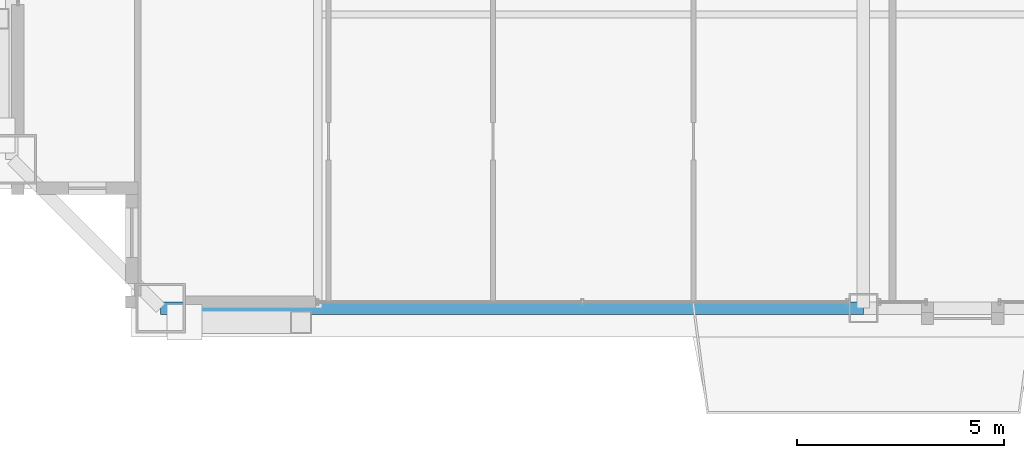
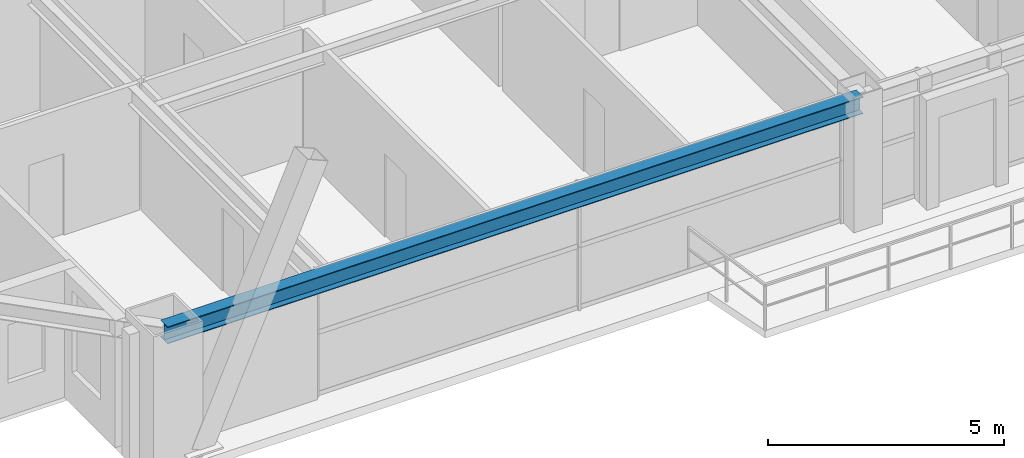
# One storey, part 5 of 37: 1 beam.
"""IFC4 building model written with IfcOpenShell, lengths in metres."""

import ifcopenshell
import ifcopenshell.guid

model = None  # the IFC model being written
_history = None  # IfcOwnerHistory: only IFC2X3 demands one
_inside = {}  # id of a spatial element -> (the spatial element, [elements in it])
_under = {}  # id of a project, library or spatial element -> (it, [spatial elements below it])
_declared = {}  # id of a project -> (the project, [libraries it declares])
_typed = {}  # id of a type object -> (the type object, [elements of that type])
_made_of = {}  # id of a material, layer set ... -> (it, [elements and type objects made of it])


def new_model(schema):
    """Start an empty IFC model of exactly this schema.

    Asked for "IFC4X3", IfcOpenShell would pick the latest addendum, in which some entities
    have other attributes; the version numbers below select the first issue.
    IFC2X3 requires an IfcOwnerHistory on every rooted entity: one is made here for all.
    """
    global model, _history
    if schema == "IFC4X3":
        model = ifcopenshell.file(schema_version=(4, 3, 0, 0))
    else:
        model = ifcopenshell.file(schema=schema)
    _inside.clear()
    _under.clear()
    _declared.clear()
    _typed.clear()
    _made_of.clear()
    _history = None
    if model.schema == "IFC2X3":
        org = make("IfcOrganization", Name="unknown")
        user = make(
            "IfcPersonAndOrganization",
            ThePerson=make("IfcPerson", FamilyName="unknown"),
            TheOrganization=org,
        )
        app = make(
            "IfcApplication",
            ApplicationDeveloper=org,
            Version="unknown",
            ApplicationFullName="unknown",
            ApplicationIdentifier="unknown",
        )
        _history = make(
            "IfcOwnerHistory",
            OwningUser=user,
            OwningApplication=app,
            ChangeAction="ADDED",
            CreationDate=0,
        )
    return model


def make(cls, **values):
    """One entity of the class cls with the attributes given. An attribute that is None is left unset."""
    return model.create_entity(
        cls, **{name: value for name, value in values.items() if value is not None}
    )


def rooted(cls, **values):
    """An entity with a GlobalId (a new one), such as an element, a storey or a relation."""
    return make(cls, GlobalId=ifcopenshell.guid.new(), OwnerHistory=_history, **values)


def si_unit(unit_type, name, prefix=None):
    """IfcSIUnit, for example si_unit("LENGTHUNIT", "METRE", prefix="MILLI")."""
    return make("IfcSIUnit", UnitType=unit_type, Prefix=prefix, Name=name)


def assignment(units):
    """IfcUnitAssignment: the units of a project."""
    return None if units is None else make("IfcUnitAssignment", Units=units)


def point(xyz):
    """IfcCartesianPoint."""
    return None if xyz is None else make("IfcCartesianPoint", Coordinates=xyz)


def direction(xyz):
    """IfcDirection."""
    return None if xyz is None else make("IfcDirection", DirectionRatios=xyz)


def frame(location, z_axis=None, x_axis=None):
    """IfcAxis2Placement3D, a coordinate frame: its origin and axes. An axis left out is left unset."""
    return make(
        "IfcAxis2Placement3D",
        Location=point(location),
        Axis=direction(z_axis),
        RefDirection=direction(x_axis),
    )


def frame_2d(location, x_axis=None):
    """IfcAxis2Placement2D, a coordinate frame in the plane: its origin and x axis."""
    return make(
        "IfcAxis2Placement2D", Location=point(location), RefDirection=direction(x_axis)
    )


def origin():
    """The frame at (0, 0, 0) with its axes left unset."""
    return frame((0.0, 0.0, 0.0))


def origin_2d():
    """The frame at (0, 0) in the plane with its x axis left unset."""
    return frame_2d((0.0, 0.0))


def place(relative_to, where):
    """IfcLocalPlacement: puts the frame where relative to a parent placement (None: the world)."""
    return make(
        "IfcLocalPlacement", PlacementRelTo=relative_to, RelativePlacement=where
    )


def context(
    kind, dimensions, precision=None, world=None, true_north=None, identifier=None
):
    """IfcGeometricRepresentationContext, for example the 3D "Model" context."""
    return make(
        "IfcGeometricRepresentationContext",
        ContextIdentifier=identifier,
        ContextType=kind,
        CoordinateSpaceDimension=dimensions,
        Precision=precision,
        WorldCoordinateSystem=world,
        TrueNorth=true_north,
    )


def subcontext(parent, identifier, kind, view, scale=None):
    """IfcGeometricRepresentationSubContext, for example "Body" below "Model"."""
    return make(
        "IfcGeometricRepresentationSubContext",
        ContextIdentifier=identifier,
        ContextType=kind,
        ParentContext=parent,
        TargetScale=scale,
        TargetView=view,
    )


def project(units=None, contexts=None):
    """IfcProject with its units and contexts."""
    return rooted(
        "IfcProject",
        Name="project",
        RepresentationContexts=contexts,
        UnitsInContext=assignment(units),
    )


def spatial(cls, under=None, at=None, **own):
    """A site, building, storey or space (cls), placed at a placement, below another one or the project."""
    s = rooted(cls, ObjectPlacement=at, **own)
    if under is not None:
        _under.setdefault(under.id(), (under, []))[1].append(s)
    return s


def profile(cls, at=None, kind="AREA", **sizes):
    """A parametric profile (cls). Its sizes go by their IFC names, for example OverallWidth=200.0."""
    return make(cls, ProfileType=kind, Position=at, **sizes)


def i_section(**sizes):
    """IfcIShapeProfileDef."""
    return profile("IfcIShapeProfileDef", **sizes)


def extrude(swept, where, along, depth):
    """IfcExtrudedAreaSolid: the profile swept, set in the frame where, extruded along a direction by depth."""
    return make(
        "IfcExtrudedAreaSolid",
        SweptArea=swept,
        Position=where,
        ExtrudedDirection=direction(along),
        Depth=depth,
    )


def shape(context_of_items, identifier, shape_type, items):
    """IfcShapeRepresentation: the items that make up one representation, for example the "Body"."""
    return make(
        "IfcShapeRepresentation",
        ContextOfItems=context_of_items,
        RepresentationIdentifier=identifier,
        RepresentationType=shape_type,
        Items=items,
    )


def source(mapping_origin, context_of_items, identifier, shape_type, items):
    """IfcRepresentationMap: a shape defined once, which mapped items show again and again."""
    return make(
        "IfcRepresentationMap",
        MappingOrigin=mapping_origin,
        MappedRepresentation=shape(context_of_items, identifier, shape_type, items),
    )


def transform(
    local_origin,
    x_axis=None,
    y_axis=None,
    z_axis=None,
    scale=None,
    scale2=None,
    scale3=None,
    uniform=True,
):
    """IfcCartesianTransformationOperator3D, or its non-uniform kind. x_axis, y_axis, z_axis: its Axis1, 2, 3."""
    if uniform:
        return make(
            "IfcCartesianTransformationOperator3D",
            Axis1=direction(x_axis),
            Axis2=direction(y_axis),
            LocalOrigin=point(local_origin),
            Scale=scale,
            Axis3=direction(z_axis),
        )
    return make(
        "IfcCartesianTransformationOperator3DnonUniform",
        Axis1=direction(x_axis),
        Axis2=direction(y_axis),
        LocalOrigin=point(local_origin),
        Scale=scale,
        Axis3=direction(z_axis),
        Scale2=scale2,
        Scale3=scale3,
    )


def mapped(mapping_source, mapping_target):
    """IfcMappedItem: shows the shape of a source again, moved by a transform."""
    return make(
        "IfcMappedItem", MappingSource=mapping_source, MappingTarget=mapping_target
    )


def material(Name=None, Category=None):
    """IfcMaterial."""
    return make("IfcMaterial", Name=Name, Category=Category)


def material_profile(
    of_material, cross_section, Name=None, Category=None, Priority=None
):
    """IfcMaterialProfile: a cross section and its material."""
    return make(
        "IfcMaterialProfile",
        Name=Name,
        Material=of_material,
        Profile=cross_section,
        Priority=Priority,
        Category=Category,
    )


def profile_set(profiles, Name=None, composite=None):
    """IfcMaterialProfileSet."""
    return make(
        "IfcMaterialProfileSet",
        Name=Name,
        MaterialProfiles=profiles,
        CompositeProfile=composite,
    )


def made_of(thing, what):
    """Note that an element or type object is made of a material, layer set ...; save() writes the relation."""
    if what is not None:
        _made_of.setdefault(what.id(), (what, []))[1].append(thing)
    return thing


def type_object(cls, material=None, **own):
    """A type object (cls), such as IfcWallType, which elements share."""
    return made_of(rooted(cls, **own), material)


def element(
    cls,
    number,
    at=None,
    inside=None,
    cuts=None,
    type_object=None,
    material=None,
    context=None,
    identifier="Body",
    shape_type=None,
    held_by="IfcProductDefinitionShape",
    body=None,
    shapes=None,
    **own,
):
    """One element of the class cls, such as IfcWall. Its Tag is "e" and its number.

    at: its placement. inside: the storey or other place that contains it. cuts: it is an
    opening in that element (IfcRelVoidsElement). A single representation is given by context,
    identifier, shape_type and body (its items); several are given by shapes. held_by: the class
    of the entity that holds the representations. save() writes the other relations.
    """
    e = rooted(cls, Tag="e%d" % number, ObjectPlacement=at, **own)
    if body is not None:
        shapes = [shape(context, identifier, shape_type, body)]
    if shapes is not None:
        e.Representation = make(held_by, Representations=shapes)
    if inside is not None:
        _inside.setdefault(inside.id(), (inside, []))[1].append(e)
    if cuts is not None:
        rooted(
            "IfcRelVoidsElement", RelatingBuildingElement=cuts, RelatedOpeningElement=e
        )
    if type_object is not None:
        _typed.setdefault(type_object.id(), (type_object, []))[1].append(e)
    return made_of(e, material)


def aggregate(whole, parts):
    """IfcRelAggregates: a whole, such as a stair, and the parts it consists of."""
    return rooted("IfcRelAggregates", RelatingObject=whole, RelatedObjects=parts)


def save(model, path):
    """Write the relations noted so far, then the file.

    IfcRelAggregates (storeys below a building ...), IfcRelContainedInSpatialStructure (elements
    in a storey), IfcRelDefinesByType, IfcRelAssociatesMaterial and IfcRelDeclares: one each for
    every whole, place, type object, material and project.
    """
    for whole, parts in _under.values():
        aggregate(whole, parts)
    for where, things in _inside.values():
        rooted(
            "IfcRelContainedInSpatialStructure",
            RelatedElements=things,
            RelatingStructure=where,
        )
    for kind, things in _typed.values():
        rooted("IfcRelDefinesByType", RelatedObjects=things, RelatingType=kind)
    for what, things in _made_of.values():
        rooted("IfcRelAssociatesMaterial", RelatedObjects=things, RelatingMaterial=what)
    for by, libraries in _declared.values():
        rooted("IfcRelDeclares", RelatingContext=by, RelatedDefinitions=libraries)
    model.write(path)


model = new_model("IFC4")

# Units and contexts
model_context = context("Model", 3, precision=1e-05, world=origin(), true_north=direction((0.0, 1.0)))
body_context = subcontext(model_context, "Body", "Model", "MODEL_VIEW")
ifc_project = project(units=[si_unit("LENGTHUNIT", "METRE"), si_unit("AREAUNIT", "SQUARE_METRE"), si_unit("VOLUMEUNIT", "CUBIC_METRE"), si_unit("PLANEANGLEUNIT", "RADIAN"), si_unit("MASSUNIT", "GRAM", prefix="KILO"), si_unit("THERMODYNAMICTEMPERATUREUNIT", "KELVIN"), si_unit("POWERUNIT", "WATT")], contexts=[model_context])

# Site, building, storey
site_placement = place(None, origin())
site = spatial("IfcSite", under=ifc_project, at=site_placement, CompositionType="ELEMENT")
building_placement = place(site_placement, origin())
building = spatial("IfcBuilding", under=site, at=building_placement, Name="Yuzanri Waterfront Tower", CompositionType="ELEMENT")
storey_placement = place(building_placement, frame((0.0, 0.0, 278.60009765625)))
storey = spatial("IfcBuildingStorey", under=building, at=storey_placement, Name="L74", CompositionType="ELEMENT", Elevation=278.60009765625)

# Beam
ifc_material = material(Name="Steel Q355B", Category="steel")
ifc_material_profile = material_profile(ifc_material, i_section(OverallWidth=0.300048828125, OverallDepth=0.43994140625, WebThickness=0.010986328125, FlangeThickness=0.01806640625, at=origin_2d()), Name="HM 440x300x11x18")
ifc_profile_set = profile_set([ifc_material_profile], Name="Steel Q355B")
beam_type = type_object("IfcBeamType", Name="Perimeter Spandrel Q355B HM 440x300", PredefinedType="SPANDREL", material=ifc_profile_set)
shared_shape = source(origin(), body_context, "Body", "SweptSolid", [
    extrude(i_section(OverallWidth=0.300048828125, OverallDepth=0.43994140625, WebThickness=0.010986328125, FlangeThickness=0.01806640625, at=origin_2d()), origin(), (0.0, 0.0, 1.0), 17.0),
])
beam_placement = place(storey_placement, frame((20.0, 5.199951171875, 3.059814453125), z_axis=(1.0, 0.0, 0.0), x_axis=(0.0, 1.0, 0.0)))
element("IfcBeam", 1, at=beam_placement, inside=storey, type_object=beam_type, Name="L74 Perimeter Spandrel S1-S2", PredefinedType="SPANDREL", context=body_context, shape_type="MappedRepresentation", body=[
    mapped(shared_shape, transform((0.0, 0.0, 0.0), scale=1.0)),
])

save(model, "model.ifc")
